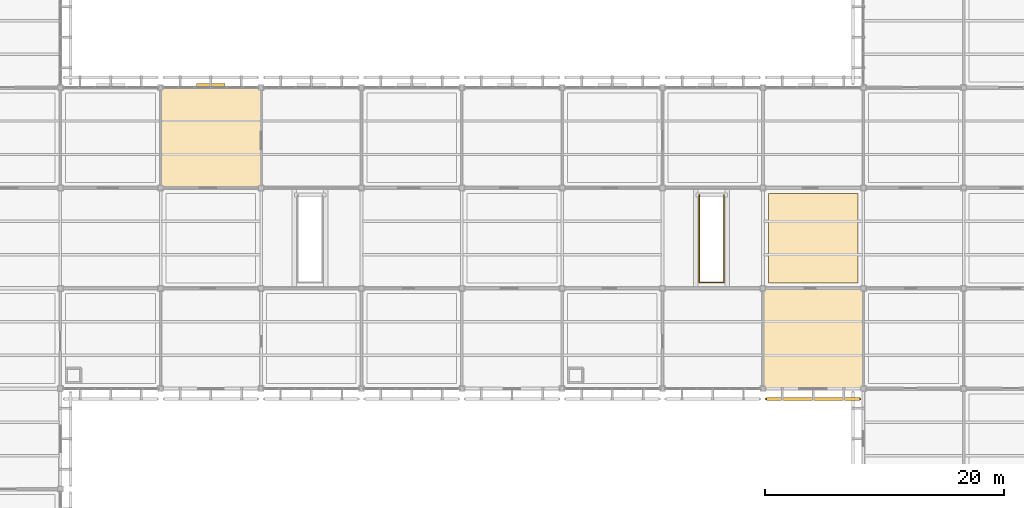
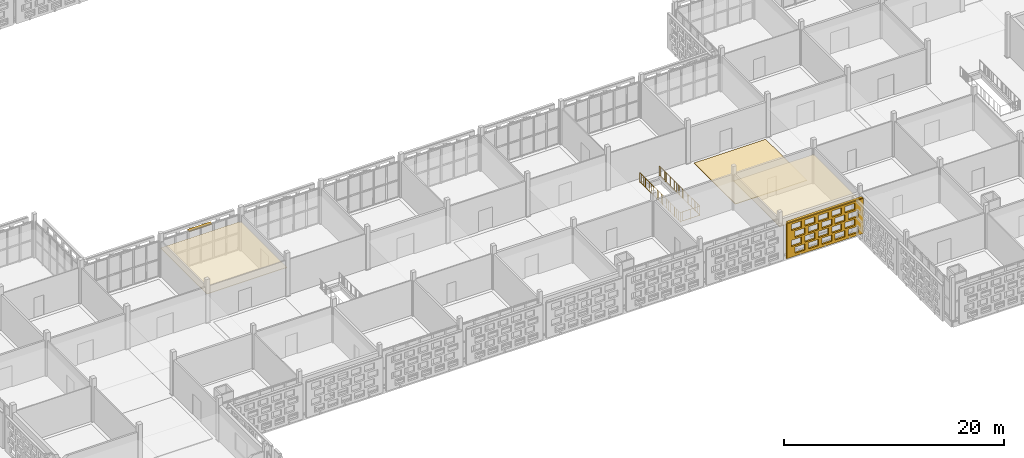
# One storey, part 152 of 203: 4 coverings, 3 railings, 2 shading devices, 20 openings.
"""IFC4 building model written with IfcOpenShell, lengths in metres."""

from ifc_helpers import new_model, si_unit, direction, frame, frame_2d, origin, origin_2d, place, context, subcontext, project, spatial, rectangle, circle, extrude, material, layer, layer_set, type_object, element, save


model = new_model("IFC4")

# Units and contexts
model_context = context("Model", 3, precision=1e-05, world=origin(), true_north=direction((0.0, 1.0)))
body_context = subcontext(model_context, "Body", "Model", "MODEL_VIEW")
ifc_project = project(units=[si_unit("LENGTHUNIT", "METRE"), si_unit("AREAUNIT", "SQUARE_METRE"), si_unit("VOLUMEUNIT", "CUBIC_METRE"), si_unit("PLANEANGLEUNIT", "RADIAN"), si_unit("MASSUNIT", "GRAM", prefix="KILO")], contexts=[model_context])

# Site, building, storey
site_placement = place(None, origin())
site = spatial("IfcSite", under=ifc_project, at=site_placement, CompositionType="ELEMENT")
building_placement = place(site_placement, origin())
building = spatial("IfcBuilding", under=site, at=building_placement, Name="Varnapada Polytechnic", CompositionType="ELEMENT")
storey_placement = place(building_placement, frame((0.0, 0.0, 4.800048828125)))
storey = spatial("IfcBuildingStorey", under=building, at=storey_placement, Name="L01", CompositionType="ELEMENT", Elevation=4.800048828125)

# Covering
ifc_material_1 = material(Name="Anti-Static Raised Laboratory Flooring")
ifc_layer_1 = layer(ifc_material_1, 0.06005859375)
ifc_layer_set_1 = layer_set([ifc_layer_1], Name="Anti-Static Raised Laboratory Flooring")
covering_type_1 = type_object("IfcCoveringType", Name="Floor Finish FLR-02", PredefinedType="FLOORING", material=ifc_layer_set_1)
covering_1_placement = place(storey_placement, frame((121.800048828125, 29.39990234375, 0.0), z_axis=(0.0, 0.0, 1.0), x_axis=(1.0, 0.0, 0.0)))
element("IfcCovering", 1, at=covering_1_placement, inside=storey, type_object=covering_type_1, Name="L01 floor finish panel (15,4)", PredefinedType="FLOORING", context=body_context, shape_type="SweptSolid", body=[
    extrude(rectangle(XDim=7.5, YDim=7.5, at=origin_2d()), origin(), (0.0, 0.0, 1.0), 0.06005859375),
])

# Shading device
ifc_material_2 = material(Name="Anodised aluminium", Category="aluminium")
ifc_layer_2 = layer(ifc_material_2, 0.35009765625)
ifc_layer_set_2 = layer_set([ifc_layer_2], Name="Anodised aluminium")
shading_device_type_1 = type_object("IfcShadingDeviceType", Name="Solar Louvre LVR-01", PredefinedType="JALOUSIE", material=ifc_layer_set_2)
shading_device_1_placement = place(storey_placement, frame((71.39501953125, 42.179931640625, 3.760009765625), z_axis=(0.0, 0.0, 1.0), x_axis=(1.0, 0.0, 0.0)))
element("IfcShadingDevice", 2, at=shading_device_1_placement, inside=storey, type_object=shading_device_type_1, Name="L01 aluminium sun louvre 61", PredefinedType="JALOUSIE", context=body_context, shape_type="SweptSolid", body=[
    extrude(rectangle(XDim=2.39990234375, YDim=0.340087890625, at=origin_2d()), origin(), (0.0, 0.0, 1.0), 0.1201171875),
])

# Railings
ifc_material_3 = material(Name="Brushed Stainless Steel 316", Category="steel")
railing_type = type_object("IfcRailingType", Name="Stair Well Guard Rail SGR-01", PredefinedType="BALUSTRADE", material=ifc_material_3)
railing_1_placement = place(storey_placement, frame((112.27001953125, 25.679931640625, 0.0)))
element("IfcRailing", 3, at=railing_1_placement, inside=storey, type_object=railing_type, Name="L01 commons stair ST-F6 well guard 1", PredefinedType="BALUSTRADE", context=body_context, shape_type="SweptSolid", body=[
    extrude(circle(Radius=0.02392578125, at=origin_2d()), frame((0.0, 0.0, 1.09619140625), z_axis=(0.0, 1.0, 0.0), x_axis=(-1.0, 0.0, 0.0)), (0.0, 0.0, 1.0), 7.340087890625),
    extrude(circle(Radius=0.02392578125, at=origin_2d()), frame((0.0, 0.0, 0.10009765625), z_axis=(0.0, 1.0, 0.0), x_axis=(-1.0, 0.0, 0.0)), (0.0, 0.0, 1.0), 7.340087890625),
    extrude(circle(Radius=0.02099609375, at=origin_2d()), origin(), (0.0, 0.0, 1.0), 1.072021484375),
    extrude(circle(Radius=0.02099609375, at=origin_2d()), frame((0.0, 1.048583984375, 0.0)), (0.0, 0.0, 1.0), 1.072021484375),
    extrude(circle(Radius=0.02099609375, at=origin_2d()), frame((0.0, 2.09716796875, 0.0)), (0.0, 0.0, 1.0), 1.072021484375),
    extrude(circle(Radius=0.02099609375, at=origin_2d()), frame((0.0, 3.145751953125, 0.0)), (0.0, 0.0, 1.0), 1.072021484375),
    extrude(circle(Radius=0.02099609375, at=origin_2d()), frame((0.0, 4.1943359375, 0.0)), (0.0, 0.0, 1.0), 1.072021484375),
    extrude(circle(Radius=0.02099609375, at=origin_2d()), frame((0.0, 5.242919921875, 0.0)), (0.0, 0.0, 1.0), 1.072021484375),
    extrude(circle(Radius=0.02099609375, at=origin_2d()), frame((0.0, 6.29150390625, 0.0)), (0.0, 0.0, 1.0), 1.072021484375),
    extrude(circle(Radius=0.02099609375, at=origin_2d()), frame((0.0, 7.340087890625, 0.0)), (0.0, 0.0, 1.0), 1.072021484375),
    extrude(circle(Radius=0.010009765625, at=origin_2d()), frame((0.0, 0.24462890625, 0.10009765625)), (0.0, 0.0, 1.0), 0.971923828125),
    extrude(circle(Radius=0.010009765625, at=origin_2d()), frame((0.0, 0.4892578125, 0.10009765625)), (0.0, 0.0, 1.0), 0.971923828125),
    extrude(circle(Radius=0.010009765625, at=origin_2d()), frame((0.0, 0.73388671875, 0.10009765625)), (0.0, 0.0, 1.0), 0.971923828125),
    extrude(circle(Radius=0.010009765625, at=origin_2d()), frame((0.0, 0.978759765625, 0.10009765625)), (0.0, 0.0, 1.0), 0.971923828125),
    extrude(circle(Radius=0.010009765625, at=origin_2d()), frame((0.0, 1.223388671875, 0.10009765625)), (0.0, 0.0, 1.0), 0.971923828125),
    extrude(circle(Radius=0.010009765625, at=origin_2d()), frame((0.0, 1.468017578125, 0.10009765625)), (0.0, 0.0, 1.0), 0.971923828125),
    extrude(circle(Radius=0.010009765625, at=origin_2d()), frame((0.0, 1.712646484375, 0.10009765625)), (0.0, 0.0, 1.0), 0.971923828125),
    extrude(circle(Radius=0.010009765625, at=origin_2d()), frame((0.0, 1.957275390625, 0.10009765625)), (0.0, 0.0, 1.0), 0.971923828125),
    extrude(circle(Radius=0.010009765625, at=origin_2d()), frame((0.0, 2.2021484375, 0.10009765625)), (0.0, 0.0, 1.0), 0.971923828125),
    extrude(circle(Radius=0.010009765625, at=origin_2d()), frame((0.0, 2.44677734375, 0.10009765625)), (0.0, 0.0, 1.0), 0.971923828125),
    extrude(circle(Radius=0.010009765625, at=origin_2d()), frame((0.0, 2.69140625, 0.10009765625)), (0.0, 0.0, 1.0), 0.971923828125),
    extrude(circle(Radius=0.010009765625, at=origin_2d()), frame((0.0, 2.93603515625, 0.10009765625)), (0.0, 0.0, 1.0), 0.971923828125),
    extrude(circle(Radius=0.010009765625, at=origin_2d()), frame((0.0, 3.1806640625, 0.10009765625)), (0.0, 0.0, 1.0), 0.971923828125),
    extrude(circle(Radius=0.010009765625, at=origin_2d()), frame((0.0, 3.42529296875, 0.10009765625)), (0.0, 0.0, 1.0), 0.971923828125),
    extrude(circle(Radius=0.010009765625, at=origin_2d()), frame((0.0, 3.669921875, 0.10009765625)), (0.0, 0.0, 1.0), 0.971923828125),
    extrude(circle(Radius=0.010009765625, at=origin_2d()), frame((0.0, 3.914794921875, 0.10009765625)), (0.0, 0.0, 1.0), 0.971923828125),
    extrude(circle(Radius=0.010009765625, at=origin_2d()), frame((0.0, 4.159423828125, 0.10009765625)), (0.0, 0.0, 1.0), 0.971923828125),
    extrude(circle(Radius=0.010009765625, at=origin_2d()), frame((0.0, 4.404052734375, 0.10009765625)), (0.0, 0.0, 1.0), 0.971923828125),
    extrude(circle(Radius=0.010009765625, at=origin_2d()), frame((0.0, 4.648681640625, 0.10009765625)), (0.0, 0.0, 1.0), 0.971923828125),
    extrude(circle(Radius=0.010009765625, at=origin_2d()), frame((0.0, 4.893310546875, 0.10009765625)), (0.0, 0.0, 1.0), 0.971923828125),
    extrude(circle(Radius=0.010009765625, at=origin_2d()), frame((0.0, 5.13818359375, 0.10009765625)), (0.0, 0.0, 1.0), 0.971923828125),
    extrude(circle(Radius=0.010009765625, at=origin_2d()), frame((0.0, 5.3828125, 0.10009765625)), (0.0, 0.0, 1.0), 0.971923828125),
    extrude(circle(Radius=0.010009765625, at=origin_2d()), frame((0.0, 5.62744140625, 0.10009765625)), (0.0, 0.0, 1.0), 0.971923828125),
    extrude(circle(Radius=0.010009765625, at=origin_2d()), frame((0.0, 5.8720703125, 0.10009765625)), (0.0, 0.0, 1.0), 0.971923828125),
    extrude(circle(Radius=0.010009765625, at=origin_2d()), frame((0.0, 6.11669921875, 0.10009765625)), (0.0, 0.0, 1.0), 0.971923828125),
    extrude(circle(Radius=0.010009765625, at=origin_2d()), frame((0.0, 6.361328125, 0.10009765625)), (0.0, 0.0, 1.0), 0.971923828125),
    extrude(circle(Radius=0.010009765625, at=origin_2d()), frame((0.0, 6.60595703125, 0.10009765625)), (0.0, 0.0, 1.0), 0.971923828125),
    extrude(circle(Radius=0.010009765625, at=origin_2d()), frame((0.0, 6.850830078125, 0.10009765625)), (0.0, 0.0, 1.0), 0.971923828125),
    extrude(circle(Radius=0.010009765625, at=origin_2d()), frame((0.0, 7.095458984375, 0.10009765625)), (0.0, 0.0, 1.0), 0.971923828125),
])
railing_2_placement = place(storey_placement, frame((114.330078125, 25.679931640625, 0.0)))
element("IfcRailing", 4, at=railing_2_placement, inside=storey, type_object=railing_type, Name="L01 commons stair ST-F6 well guard 2", PredefinedType="BALUSTRADE", context=body_context, shape_type="SweptSolid", body=[
    extrude(circle(Radius=0.02392578125, at=origin_2d()), frame((0.0, 0.0, 1.09619140625), z_axis=(0.0, 1.0, 0.0), x_axis=(-1.0, 0.0, 0.0)), (0.0, 0.0, 1.0), 7.340087890625),
    extrude(circle(Radius=0.02392578125, at=origin_2d()), frame((0.0, 0.0, 0.10009765625), z_axis=(0.0, 1.0, 0.0), x_axis=(-1.0, 0.0, 0.0)), (0.0, 0.0, 1.0), 7.340087890625),
    extrude(circle(Radius=0.02099609375, at=origin_2d()), origin(), (0.0, 0.0, 1.0), 1.072021484375),
    extrude(circle(Radius=0.02099609375, at=origin_2d()), frame((0.0, 1.048583984375, 0.0)), (0.0, 0.0, 1.0), 1.072021484375),
    extrude(circle(Radius=0.02099609375, at=origin_2d()), frame((0.0, 2.09716796875, 0.0)), (0.0, 0.0, 1.0), 1.072021484375),
    extrude(circle(Radius=0.02099609375, at=origin_2d()), frame((0.0, 3.145751953125, 0.0)), (0.0, 0.0, 1.0), 1.072021484375),
    extrude(circle(Radius=0.02099609375, at=origin_2d()), frame((0.0, 4.1943359375, 0.0)), (0.0, 0.0, 1.0), 1.072021484375),
    extrude(circle(Radius=0.02099609375, at=origin_2d()), frame((0.0, 5.242919921875, 0.0)), (0.0, 0.0, 1.0), 1.072021484375),
    extrude(circle(Radius=0.02099609375, at=origin_2d()), frame((0.0, 6.29150390625, 0.0)), (0.0, 0.0, 1.0), 1.072021484375),
    extrude(circle(Radius=0.02099609375, at=origin_2d()), frame((0.0, 7.340087890625, 0.0)), (0.0, 0.0, 1.0), 1.072021484375),
    extrude(circle(Radius=0.010009765625, at=origin_2d()), frame((0.0, 0.24462890625, 0.10009765625)), (0.0, 0.0, 1.0), 0.971923828125),
    extrude(circle(Radius=0.010009765625, at=origin_2d()), frame((0.0, 0.4892578125, 0.10009765625)), (0.0, 0.0, 1.0), 0.971923828125),
    extrude(circle(Radius=0.010009765625, at=origin_2d()), frame((0.0, 0.73388671875, 0.10009765625)), (0.0, 0.0, 1.0), 0.971923828125),
    extrude(circle(Radius=0.010009765625, at=origin_2d()), frame((0.0, 0.978759765625, 0.10009765625)), (0.0, 0.0, 1.0), 0.971923828125),
    extrude(circle(Radius=0.010009765625, at=origin_2d()), frame((0.0, 1.223388671875, 0.10009765625)), (0.0, 0.0, 1.0), 0.971923828125),
    extrude(circle(Radius=0.010009765625, at=origin_2d()), frame((0.0, 1.468017578125, 0.10009765625)), (0.0, 0.0, 1.0), 0.971923828125),
    extrude(circle(Radius=0.010009765625, at=origin_2d()), frame((0.0, 1.712646484375, 0.10009765625)), (0.0, 0.0, 1.0), 0.971923828125),
    extrude(circle(Radius=0.010009765625, at=origin_2d()), frame((0.0, 1.957275390625, 0.10009765625)), (0.0, 0.0, 1.0), 0.971923828125),
    extrude(circle(Radius=0.010009765625, at=origin_2d()), frame((0.0, 2.2021484375, 0.10009765625)), (0.0, 0.0, 1.0), 0.971923828125),
    extrude(circle(Radius=0.010009765625, at=origin_2d()), frame((0.0, 2.44677734375, 0.10009765625)), (0.0, 0.0, 1.0), 0.971923828125),
    extrude(circle(Radius=0.010009765625, at=origin_2d()), frame((0.0, 2.69140625, 0.10009765625)), (0.0, 0.0, 1.0), 0.971923828125),
    extrude(circle(Radius=0.010009765625, at=origin_2d()), frame((0.0, 2.93603515625, 0.10009765625)), (0.0, 0.0, 1.0), 0.971923828125),
    extrude(circle(Radius=0.010009765625, at=origin_2d()), frame((0.0, 3.1806640625, 0.10009765625)), (0.0, 0.0, 1.0), 0.971923828125),
    extrude(circle(Radius=0.010009765625, at=origin_2d()), frame((0.0, 3.42529296875, 0.10009765625)), (0.0, 0.0, 1.0), 0.971923828125),
    extrude(circle(Radius=0.010009765625, at=origin_2d()), frame((0.0, 3.669921875, 0.10009765625)), (0.0, 0.0, 1.0), 0.971923828125),
    extrude(circle(Radius=0.010009765625, at=origin_2d()), frame((0.0, 3.914794921875, 0.10009765625)), (0.0, 0.0, 1.0), 0.971923828125),
    extrude(circle(Radius=0.010009765625, at=origin_2d()), frame((0.0, 4.159423828125, 0.10009765625)), (0.0, 0.0, 1.0), 0.971923828125),
    extrude(circle(Radius=0.010009765625, at=origin_2d()), frame((0.0, 4.404052734375, 0.10009765625)), (0.0, 0.0, 1.0), 0.971923828125),
    extrude(circle(Radius=0.010009765625, at=origin_2d()), frame((0.0, 4.648681640625, 0.10009765625)), (0.0, 0.0, 1.0), 0.971923828125),
    extrude(circle(Radius=0.010009765625, at=origin_2d()), frame((0.0, 4.893310546875, 0.10009765625)), (0.0, 0.0, 1.0), 0.971923828125),
    extrude(circle(Radius=0.010009765625, at=origin_2d()), frame((0.0, 5.13818359375, 0.10009765625)), (0.0, 0.0, 1.0), 0.971923828125),
    extrude(circle(Radius=0.010009765625, at=origin_2d()), frame((0.0, 5.3828125, 0.10009765625)), (0.0, 0.0, 1.0), 0.971923828125),
    extrude(circle(Radius=0.010009765625, at=origin_2d()), frame((0.0, 5.62744140625, 0.10009765625)), (0.0, 0.0, 1.0), 0.971923828125),
    extrude(circle(Radius=0.010009765625, at=origin_2d()), frame((0.0, 5.8720703125, 0.10009765625)), (0.0, 0.0, 1.0), 0.971923828125),
    extrude(circle(Radius=0.010009765625, at=origin_2d()), frame((0.0, 6.11669921875, 0.10009765625)), (0.0, 0.0, 1.0), 0.971923828125),
    extrude(circle(Radius=0.010009765625, at=origin_2d()), frame((0.0, 6.361328125, 0.10009765625)), (0.0, 0.0, 1.0), 0.971923828125),
    extrude(circle(Radius=0.010009765625, at=origin_2d()), frame((0.0, 6.60595703125, 0.10009765625)), (0.0, 0.0, 1.0), 0.971923828125),
    extrude(circle(Radius=0.010009765625, at=origin_2d()), frame((0.0, 6.850830078125, 0.10009765625)), (0.0, 0.0, 1.0), 0.971923828125),
    extrude(circle(Radius=0.010009765625, at=origin_2d()), frame((0.0, 7.095458984375, 0.10009765625)), (0.0, 0.0, 1.0), 0.971923828125),
])
railing_3_placement = place(storey_placement, frame((112.27001953125, 25.679931640625, 0.0)))
element("IfcRailing", 5, at=railing_3_placement, inside=storey, type_object=railing_type, Name="L01 commons stair ST-F6 well guard 3", PredefinedType="BALUSTRADE", context=body_context, shape_type="SweptSolid", body=[
    extrude(circle(Radius=0.02392578125, at=origin_2d()), frame((0.0, 0.0, 1.09619140625), z_axis=(1.0, 0.0, 0.0), x_axis=(0.0, 1.0, 0.0)), (0.0, 0.0, 1.0), 2.06005859375),
    extrude(circle(Radius=0.02392578125, at=origin_2d()), frame((0.0, 0.0, 0.10009765625), z_axis=(1.0, 0.0, 0.0), x_axis=(0.0, 1.0, 0.0)), (0.0, 0.0, 1.0), 2.06005859375),
    extrude(circle(Radius=0.02099609375, at=origin_2d()), origin(), (0.0, 0.0, 1.0), 1.072021484375),
    extrude(circle(Radius=0.02099609375, at=origin_2d()), frame((1.030029296875, 0.0, 0.0)), (0.0, 0.0, 1.0), 1.072021484375),
    extrude(circle(Radius=0.02099609375, at=origin_2d()), frame((2.06005859375, 0.0, 0.0)), (0.0, 0.0, 1.0), 1.072021484375),
    extrude(circle(Radius=0.010009765625, at=origin_2d()), frame((0.257568359375, 0.0, 0.10009765625)), (0.0, 0.0, 1.0), 0.971923828125),
    extrude(circle(Radius=0.010009765625, at=origin_2d()), frame((0.51513671875, 0.0, 0.10009765625)), (0.0, 0.0, 1.0), 0.971923828125),
    extrude(circle(Radius=0.010009765625, at=origin_2d()), frame((0.7724609375, 0.0, 0.10009765625)), (0.0, 0.0, 1.0), 0.971923828125),
    extrude(circle(Radius=0.010009765625, at=origin_2d()), frame((1.030029296875, 0.0, 0.10009765625)), (0.0, 0.0, 1.0), 0.971923828125),
    extrude(circle(Radius=0.010009765625, at=origin_2d()), frame((1.28759765625, 0.0, 0.10009765625)), (0.0, 0.0, 1.0), 0.971923828125),
    extrude(circle(Radius=0.010009765625, at=origin_2d()), frame((1.544921875, 0.0, 0.10009765625)), (0.0, 0.0, 1.0), 0.971923828125),
    extrude(circle(Radius=0.010009765625, at=origin_2d()), frame((1.802490234375, 0.0, 0.10009765625)), (0.0, 0.0, 1.0), 0.971923828125),
])

# Coverings
ifc_material_4 = material(Name="Moisture-Resistant Aluminum Baffle Ceiling", Category="aluminium")
ifc_layer_3 = layer(ifc_material_4, 0.030029296875)
ifc_layer_set_3 = layer_set([ifc_layer_3], Name="Moisture-Resistant Aluminum Baffle Ceiling")
covering_type_2 = type_object("IfcCoveringType", Name="Suspended Ceiling CLG-03", PredefinedType="CEILING", material=ifc_layer_set_3)
covering_2_placement = place(storey_placement, frame((121.800048828125, 21.0, 3.03515625), z_axis=(0.0, 0.0, 1.0), x_axis=(1.0, 0.0, 0.0)))
element("IfcCovering", 6, at=covering_2_placement, inside=storey, type_object=covering_type_2, Name="L01 suspended acoustic ceiling (15,3)", PredefinedType="CEILING", context=body_context, shape_type="SweptSolid", body=[
    extrude(rectangle(XDim=8.419921875, YDim=8.419921875, at=origin_2d()), origin(), (0.0, 0.0, 1.0), 0.030029296875),
])
ifc_material_5 = material(Name="Slatted Merbau Timber Acoustic Ceiling", Category="wood")
ifc_layer_4 = layer(ifc_material_5, 0.054931640625)
ifc_layer_set_4 = layer_set([ifc_layer_4], Name="Slatted Merbau Timber Acoustic Ceiling")
covering_type_3 = type_object("IfcCoveringType", Name="Suspended Ceiling CLG-05", PredefinedType="CEILING", material=ifc_layer_set_4)
covering_3_placement = place(storey_placement, frame((71.39990234375, 37.800048828125, 3.0224609375), z_axis=(0.0, 0.0, 1.0), x_axis=(1.0, 0.0, 0.0)))
element("IfcCovering", 7, at=covering_3_placement, inside=storey, type_object=covering_type_3, Name="L01 suspended acoustic ceiling (9,5)", PredefinedType="CEILING", context=body_context, shape_type="SweptSolid", body=[
    extrude(rectangle(XDim=8.419921875, YDim=8.419921875, at=origin_2d()), origin(), (0.0, 0.0, 1.0), 0.054931640625),
])

# Covering, openings
ifc_material_6 = material(Name="Earth-toned architectural terracotta screen block", Category="masonry")
ifc_layer_5 = layer(ifc_material_6, 0.1201171875)
ifc_layer_set_5 = layer_set([ifc_layer_5], Name="Earth-toned architectural terracotta screen block")
covering_type_4 = type_object("IfcCoveringType", Name="Terracotta Screen Cladding CLD-01", PredefinedType="CLADDING", material=ifc_layer_set_5)
covering_4_placement = place(storey_placement, frame((125.820068359375, 15.949951171875, 0.0), z_axis=(0.0, 0.0, 1.0), x_axis=(-1.0, 0.0, 0.0)))
covering_4 = element("IfcCovering", 8, at=covering_4_placement, inside=storey, type_object=covering_type_4, Name="L01 perforated terracotta block screen (96)", PredefinedType="CLADDING", context=body_context, shape_type="SweptSolid", body=[
    extrude(rectangle(XDim=8.0400390625, YDim=0.179931640625, at=frame_2d((4.02001953125, 0.0))), origin(), (0.0, 0.0, 1.0), 3.919921875),
])
opening_1_placement = place(covering_4_placement, frame((0.52001953125, 0.0, 0.313720703125)))
element("IfcOpeningElement", 9, at=opening_1_placement, cuts=covering_4, Name="Screen perforation TBS-L01-095.1", PredefinedType="OPENING", context=body_context, shape_type="SweptSolid", body=[
    extrude(rectangle(XDim=1.0400390625, YDim=0.679931640625, at=frame_2d((0.52001953125, 0.33984375))), frame((0.0, 0.099853515625, 0.0), z_axis=(0.0, -1.0, 0.0), x_axis=(1.0, 0.0, 0.0)), (0.0, 0.0, 1.0), 0.199951171875),
])
opening_2_placement = place(covering_4_placement, frame((1.919921875, 0.0, 0.313720703125)))
element("IfcOpeningElement", 10, at=opening_2_placement, cuts=covering_4, Name="Screen perforation TBS-L01-095.2", PredefinedType="OPENING", context=body_context, shape_type="SweptSolid", body=[
    extrude(rectangle(XDim=1.0400390625, YDim=0.679931640625, at=frame_2d((0.52001953125, 0.33984375))), frame((0.0, 0.099853515625, 0.0), z_axis=(0.0, -1.0, 0.0), x_axis=(1.0, 0.0, 0.0)), (0.0, 0.0, 1.0), 0.199951171875),
])
opening_3_placement = place(covering_4_placement, frame((3.320068359375, 0.0, 0.313720703125)))
element("IfcOpeningElement", 11, at=opening_3_placement, cuts=covering_4, Name="Screen perforation TBS-L01-095.3", PredefinedType="OPENING", context=body_context, shape_type="SweptSolid", body=[
    extrude(rectangle(XDim=1.0400390625, YDim=0.679931640625, at=frame_2d((0.52001953125, 0.33984375))), frame((0.0, 0.099853515625, 0.0), z_axis=(0.0, -1.0, 0.0), x_axis=(1.0, 0.0, 0.0)), (0.0, 0.0, 1.0), 0.199951171875),
])
opening_4_placement = place(covering_4_placement, frame((4.719970703125, 0.0, 0.313720703125)))
element("IfcOpeningElement", 12, at=opening_4_placement, cuts=covering_4, Name="Screen perforation TBS-L01-095.4", PredefinedType="OPENING", context=body_context, shape_type="SweptSolid", body=[
    extrude(rectangle(XDim=1.0400390625, YDim=0.679931640625, at=frame_2d((0.52001953125, 0.33984375))), frame((0.0, 0.099853515625, 0.0), z_axis=(0.0, -1.0, 0.0), x_axis=(1.0, 0.0, 0.0)), (0.0, 0.0, 1.0), 0.199951171875),
])
opening_5_placement = place(covering_4_placement, frame((6.1201171875, 0.0, 0.313720703125)))
element("IfcOpeningElement", 13, at=opening_5_placement, cuts=covering_4, Name="Screen perforation TBS-L01-095.5", PredefinedType="OPENING", context=body_context, shape_type="SweptSolid", body=[
    extrude(rectangle(XDim=1.0400390625, YDim=0.679931640625, at=frame_2d((0.52001953125, 0.33984375))), frame((0.0, 0.099853515625, 0.0), z_axis=(0.0, -1.0, 0.0), x_axis=(1.0, 0.0, 0.0)), (0.0, 0.0, 1.0), 0.199951171875),
])
opening_6_placement = place(covering_4_placement, frame((0.8798828125, 0.0, 1.195556640625)))
element("IfcOpeningElement", 14, at=opening_6_placement, cuts=covering_4, Name="Screen perforation TBS-L01-095.6", PredefinedType="OPENING", context=body_context, shape_type="SweptSolid", body=[
    extrude(rectangle(XDim=1.0400390625, YDim=0.679931640625, at=frame_2d((0.52001953125, 0.33984375))), frame((0.0, 0.099853515625, 0.0), z_axis=(0.0, -1.0, 0.0), x_axis=(1.0, 0.0, 0.0)), (0.0, 0.0, 1.0), 0.199951171875),
])
opening_7_placement = place(covering_4_placement, frame((2.280029296875, 0.0, 1.195556640625)))
element("IfcOpeningElement", 15, at=opening_7_placement, cuts=covering_4, Name="Screen perforation TBS-L01-095.7", PredefinedType="OPENING", context=body_context, shape_type="SweptSolid", body=[
    extrude(rectangle(XDim=1.0400390625, YDim=0.679931640625, at=frame_2d((0.52001953125, 0.33984375))), frame((0.0, 0.099853515625, 0.0), z_axis=(0.0, -1.0, 0.0), x_axis=(1.0, 0.0, 0.0)), (0.0, 0.0, 1.0), 0.199951171875),
])
opening_8_placement = place(covering_4_placement, frame((3.679931640625, 0.0, 1.195556640625)))
element("IfcOpeningElement", 16, at=opening_8_placement, cuts=covering_4, Name="Screen perforation TBS-L01-095.8", PredefinedType="OPENING", context=body_context, shape_type="SweptSolid", body=[
    extrude(rectangle(XDim=1.0400390625, YDim=0.679931640625, at=frame_2d((0.52001953125, 0.33984375))), frame((0.0, 0.099853515625, 0.0), z_axis=(0.0, -1.0, 0.0), x_axis=(1.0, 0.0, 0.0)), (0.0, 0.0, 1.0), 0.199951171875),
])
opening_9_placement = place(covering_4_placement, frame((5.080078125, 0.0, 1.195556640625)))
element("IfcOpeningElement", 17, at=opening_9_placement, cuts=covering_4, Name="Screen perforation TBS-L01-095.9", PredefinedType="OPENING", context=body_context, shape_type="SweptSolid", body=[
    extrude(rectangle(XDim=1.0400390625, YDim=0.679931640625, at=frame_2d((0.52001953125, 0.33984375))), frame((0.0, 0.099853515625, 0.0), z_axis=(0.0, -1.0, 0.0), x_axis=(1.0, 0.0, 0.0)), (0.0, 0.0, 1.0), 0.199951171875),
])
opening_10_placement = place(covering_4_placement, frame((6.47998046875, 0.0, 1.195556640625)))
element("IfcOpeningElement", 18, at=opening_10_placement, cuts=covering_4, Name="Screen perforation TBS-L01-095.10", PredefinedType="OPENING", context=body_context, shape_type="SweptSolid", body=[
    extrude(rectangle(XDim=1.0400390625, YDim=0.679931640625, at=frame_2d((0.52001953125, 0.33984375))), frame((0.0, 0.099853515625, 0.0), z_axis=(0.0, -1.0, 0.0), x_axis=(1.0, 0.0, 0.0)), (0.0, 0.0, 1.0), 0.199951171875),
])
opening_11_placement = place(covering_4_placement, frame((0.52001953125, 0.0, 2.07763671875)))
element("IfcOpeningElement", 19, at=opening_11_placement, cuts=covering_4, Name="Screen perforation TBS-L01-095.11", PredefinedType="OPENING", context=body_context, shape_type="SweptSolid", body=[
    extrude(rectangle(XDim=1.0400390625, YDim=0.679931640625, at=frame_2d((0.52001953125, 0.33984375))), frame((0.0, 0.099853515625, 0.0), z_axis=(0.0, -1.0, 0.0), x_axis=(1.0, 0.0, 0.0)), (0.0, 0.0, 1.0), 0.199951171875),
])
opening_12_placement = place(covering_4_placement, frame((1.919921875, 0.0, 2.07763671875)))
element("IfcOpeningElement", 20, at=opening_12_placement, cuts=covering_4, Name="Screen perforation TBS-L01-095.12", PredefinedType="OPENING", context=body_context, shape_type="SweptSolid", body=[
    extrude(rectangle(XDim=1.0400390625, YDim=0.679931640625, at=frame_2d((0.52001953125, 0.33984375))), frame((0.0, 0.099853515625, 0.0), z_axis=(0.0, -1.0, 0.0), x_axis=(1.0, 0.0, 0.0)), (0.0, 0.0, 1.0), 0.199951171875),
])
opening_13_placement = place(covering_4_placement, frame((3.320068359375, 0.0, 2.07763671875)))
element("IfcOpeningElement", 21, at=opening_13_placement, cuts=covering_4, Name="Screen perforation TBS-L01-095.13", PredefinedType="OPENING", context=body_context, shape_type="SweptSolid", body=[
    extrude(rectangle(XDim=1.0400390625, YDim=0.679931640625, at=frame_2d((0.52001953125, 0.33984375))), frame((0.0, 0.099853515625, 0.0), z_axis=(0.0, -1.0, 0.0), x_axis=(1.0, 0.0, 0.0)), (0.0, 0.0, 1.0), 0.199951171875),
])
opening_14_placement = place(covering_4_placement, frame((4.719970703125, 0.0, 2.07763671875)))
element("IfcOpeningElement", 22, at=opening_14_placement, cuts=covering_4, Name="Screen perforation TBS-L01-095.14", PredefinedType="OPENING", context=body_context, shape_type="SweptSolid", body=[
    extrude(rectangle(XDim=1.0400390625, YDim=0.679931640625, at=frame_2d((0.52001953125, 0.33984375))), frame((0.0, 0.099853515625, 0.0), z_axis=(0.0, -1.0, 0.0), x_axis=(1.0, 0.0, 0.0)), (0.0, 0.0, 1.0), 0.199951171875),
])
opening_15_placement = place(covering_4_placement, frame((6.1201171875, 0.0, 2.07763671875)))
element("IfcOpeningElement", 23, at=opening_15_placement, cuts=covering_4, Name="Screen perforation TBS-L01-095.15", PredefinedType="OPENING", context=body_context, shape_type="SweptSolid", body=[
    extrude(rectangle(XDim=1.0400390625, YDim=0.679931640625, at=frame_2d((0.52001953125, 0.33984375))), frame((0.0, 0.099853515625, 0.0), z_axis=(0.0, -1.0, 0.0), x_axis=(1.0, 0.0, 0.0)), (0.0, 0.0, 1.0), 0.199951171875),
])
opening_16_placement = place(covering_4_placement, frame((0.8798828125, 0.0, 2.959716796875)))
element("IfcOpeningElement", 24, at=opening_16_placement, cuts=covering_4, Name="Screen perforation TBS-L01-095.16", PredefinedType="OPENING", context=body_context, shape_type="SweptSolid", body=[
    extrude(rectangle(XDim=1.0400390625, YDim=0.679931640625, at=frame_2d((0.52001953125, 0.33984375))), frame((0.0, 0.099853515625, 0.0), z_axis=(0.0, -1.0, 0.0), x_axis=(1.0, 0.0, 0.0)), (0.0, 0.0, 1.0), 0.199951171875),
])
opening_17_placement = place(covering_4_placement, frame((2.280029296875, 0.0, 2.959716796875)))
element("IfcOpeningElement", 25, at=opening_17_placement, cuts=covering_4, Name="Screen perforation TBS-L01-095.17", PredefinedType="OPENING", context=body_context, shape_type="SweptSolid", body=[
    extrude(rectangle(XDim=1.0400390625, YDim=0.679931640625, at=frame_2d((0.52001953125, 0.33984375))), frame((0.0, 0.099853515625, 0.0), z_axis=(0.0, -1.0, 0.0), x_axis=(1.0, 0.0, 0.0)), (0.0, 0.0, 1.0), 0.199951171875),
])
opening_18_placement = place(covering_4_placement, frame((3.679931640625, 0.0, 2.959716796875)))
element("IfcOpeningElement", 26, at=opening_18_placement, cuts=covering_4, Name="Screen perforation TBS-L01-095.18", PredefinedType="OPENING", context=body_context, shape_type="SweptSolid", body=[
    extrude(rectangle(XDim=1.0400390625, YDim=0.679931640625, at=frame_2d((0.52001953125, 0.33984375))), frame((0.0, 0.099853515625, 0.0), z_axis=(0.0, -1.0, 0.0), x_axis=(1.0, 0.0, 0.0)), (0.0, 0.0, 1.0), 0.199951171875),
])
opening_19_placement = place(covering_4_placement, frame((5.080078125, 0.0, 2.959716796875)))
element("IfcOpeningElement", 27, at=opening_19_placement, cuts=covering_4, Name="Screen perforation TBS-L01-095.19", PredefinedType="OPENING", context=body_context, shape_type="SweptSolid", body=[
    extrude(rectangle(XDim=1.0400390625, YDim=0.679931640625, at=frame_2d((0.52001953125, 0.33984375))), frame((0.0, 0.099853515625, 0.0), z_axis=(0.0, -1.0, 0.0), x_axis=(1.0, 0.0, 0.0)), (0.0, 0.0, 1.0), 0.199951171875),
])
opening_20_placement = place(covering_4_placement, frame((6.47998046875, 0.0, 2.959716796875)))
element("IfcOpeningElement", 28, at=opening_20_placement, cuts=covering_4, Name="Screen perforation TBS-L01-095.20", PredefinedType="OPENING", context=body_context, shape_type="SweptSolid", body=[
    extrude(rectangle(XDim=1.0400390625, YDim=0.679931640625, at=frame_2d((0.52001953125, 0.33984375))), frame((0.0, 0.099853515625, 0.0), z_axis=(0.0, -1.0, 0.0), x_axis=(1.0, 0.0, 0.0)), (0.0, 0.0, 1.0), 0.199951171875),
])

# Shading device
ifc_layer_6 = layer(ifc_material_6, 0.179931640625)
ifc_layer_set_6 = layer_set([ifc_layer_6], Name="Earth-toned architectural terracotta screen block")
shading_device_type_2 = type_object("IfcShadingDeviceType", Name="Terracotta Screen SCR-02", PredefinedType="USERDEFINED", material=ifc_layer_set_6)
shading_device_2_placement = place(storey_placement, frame((121.800048828125, 15.949951171875, 3.909912109375), z_axis=(0.0, 0.0, 1.0), x_axis=(-1.0, 0.0, 0.0)))
element("IfcShadingDevice", 29, at=shading_device_2_placement, inside=storey, type_object=shading_device_type_2, Name="L01 perforated terracotta screen hood 175", ObjectType="SCREEN", PredefinedType="USERDEFINED", context=body_context, shape_type="SweptSolid", body=[
    extrude(rectangle(XDim=7.840087890625, YDim=0.239990234375, at=origin_2d()), origin(), (0.0, 0.0, 1.0), 0.10009765625),
])

save(model, "model.ifc")
